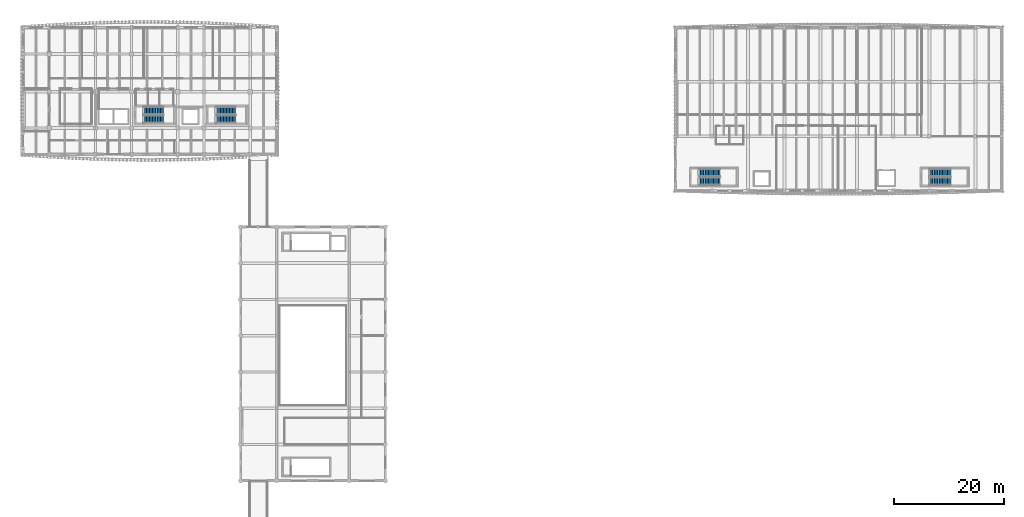
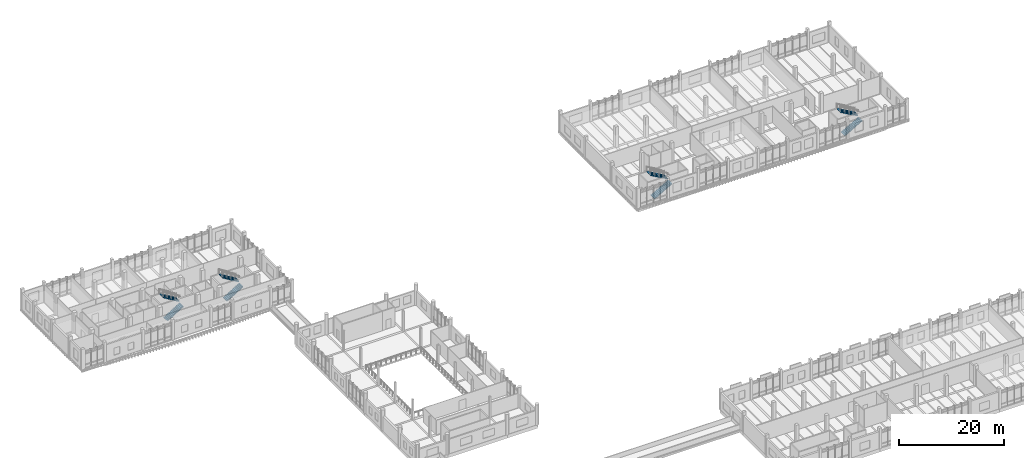
# One storey, part 59 of 76: 8 stair flights, 4 elements without a shape of their own.
"""IFC4 building model written with IfcOpenShell, lengths in metres."""

from ifc_helpers import new_model, si_unit, direction, frame, origin, place, context, subcontext, project, spatial, polyline, outline, extrude, material, type_object, element, aggregate, save


model = new_model("IFC4")

# Units and contexts
model_context = context("Model", 3, precision=1e-05, world=origin(), true_north=direction((0.0, 1.0)))
body_context = subcontext(model_context, "Body", "Model", "MODEL_VIEW")
ifc_project = project(units=[si_unit("LENGTHUNIT", "METRE"), si_unit("AREAUNIT", "SQUARE_METRE"), si_unit("VOLUMEUNIT", "CUBIC_METRE"), si_unit("PLANEANGLEUNIT", "RADIAN"), si_unit("MASSUNIT", "GRAM", prefix="KILO")], contexts=[model_context])

# Site, building, storey
site_placement = place(None, origin())
site = spatial("IfcSite", under=ifc_project, at=site_placement, CompositionType="ELEMENT")
building_placement = place(site_placement, origin())
building = spatial("IfcBuilding", under=site, at=building_placement, Name="Dornvale Research Institute", CompositionType="ELEMENT")
storey_placement = place(building_placement, frame((0.0, 0.0, 15.0)))
storey = spatial("IfcBuildingStorey", under=building, at=storey_placement, Name="L03", CompositionType="ELEMENT", Elevation=15.0)

# Stair, stair flights
ifc_material_1 = material(Name="Concrete f'c 45 MPa (C35/45)", Category="concrete")
stair_type = type_object("IfcStairType", Name="HalfTurnStair_RC", PredefinedType="HALF_TURN_STAIR", material=ifc_material_1)
stair_1_placement = place(storey_placement, origin())
stair_1 = element("IfcStair", 1, at=stair_1_placement, inside=storey, type_object=stair_type, Name="L03 Exit stair ST-1", PredefinedType="HALF_TURN_STAIR")
ifc_material_2 = material(Name="Concrete f'c 45 MPa (C35/45)", Category="concrete")
stair_flight_type = type_object("IfcStairFlightType", Name="StraightFlight_RC150", PredefinedType="STRAIGHT", material=ifc_material_2)
stair_flight_1_placement = place(storey_placement, frame((21.949951171875, 105.39990234375, 0.0), z_axis=(0.0, 0.0, 1.0), x_axis=(1.0, 0.0, 0.0)))
stair_flight_1 = element("IfcStairFlight", 2, at=stair_flight_1_placement, type_object=stair_flight_type, Name="ST-1 flight 1", NumberOfRisers=14, NumberOfTreads=13, PredefinedType="STRAIGHT", RiserHeight=0.171428571, TreadLength=0.28, context=body_context, shape_type="SweptSolid", body=[
    extrude(outline(polyline([(0.0, 0.0), (0.0, 0.17138671875), (0.280029296875, 0.17138671875), (0.280029296875, 0.3427734375), (0.56005859375, 0.3427734375), (0.56005859375, 0.514404296875), (0.840087890625, 0.514404296875), (0.840087890625, 0.685791015625), (1.1201171875, 0.685791015625), (1.1201171875, 0.857177734375), (1.39990234375, 0.857177734375), (1.39990234375, 1.028564453125), (1.679931640625, 1.028564453125), (1.679931640625, 1.199951171875), (1.9599609375, 1.199951171875), (1.9599609375, 1.371337890625), (2.239990234375, 1.371337890625), (2.239990234375, 1.54296875), (2.52001953125, 1.54296875), (2.52001953125, 1.71435546875), (2.800048828125, 1.71435546875), (2.800048828125, 1.8857421875), (3.080078125, 1.8857421875), (3.080078125, 2.05712890625), (3.360107421875, 2.05712890625), (3.360107421875, 2.228515625), (3.639892578125, 2.228515625), (3.639892578125, 2.39990234375), (3.639892578125, 2.052734375), (0.287109375, 0.0), (0.0, 0.0)])), frame((0.0, 0.699951171875, 0.0), z_axis=(0.0, -1.0, 0.0), x_axis=(1.0, 0.0, 0.0)), (0.0, 0.0, 1.0), 1.39990234375),
])
stair_flight_2_placement = place(storey_placement, frame((25.590087890625, 106.9599609375, 2.39990234375), z_axis=(0.0, 0.0, 1.0), x_axis=(-1.0, 0.0, 0.0)))
stair_flight_2 = element("IfcStairFlight", 3, at=stair_flight_2_placement, type_object=stair_flight_type, Name="ST-1 flight 2", NumberOfRisers=14, NumberOfTreads=13, PredefinedType="STRAIGHT", RiserHeight=0.171428571, TreadLength=0.28, context=body_context, shape_type="SweptSolid", body=[
    extrude(outline(polyline([(0.0, 0.0), (0.0, 0.17138671875), (0.280029296875, 0.17138671875), (0.280029296875, 0.3427734375), (0.56005859375, 0.3427734375), (0.56005859375, 0.514404296875), (0.840087890625, 0.514404296875), (0.840087890625, 0.685791015625), (1.1201171875, 0.685791015625), (1.1201171875, 0.857177734375), (1.39990234375, 0.857177734375), (1.39990234375, 1.028564453125), (1.679931640625, 1.028564453125), (1.679931640625, 1.199951171875), (1.9599609375, 1.199951171875), (1.9599609375, 1.371337890625), (2.239990234375, 1.371337890625), (2.239990234375, 1.54296875), (2.52001953125, 1.54296875), (2.52001953125, 1.71435546875), (2.800048828125, 1.71435546875), (2.800048828125, 1.8857421875), (3.080078125, 1.8857421875), (3.080078125, 2.05712890625), (3.360107421875, 2.05712890625), (3.360107421875, 2.228515625), (3.639892578125, 2.228515625), (3.639892578125, 2.39990234375), (3.639892578125, 2.052734375), (0.287109375, 0.0), (0.0, 0.0)])), frame((0.0, 0.699951171875, 0.0), z_axis=(0.0, -1.0, 0.0), x_axis=(1.0, 0.0, 0.0)), (0.0, 0.0, 1.0), 1.39990234375),
])
aggregate(stair_1, [stair_flight_1, stair_flight_2])

stair_2_placement = place(storey_placement, origin())
stair_2 = element("IfcStair", 4, at=stair_2_placement, inside=storey, type_object=stair_type, Name="L03 Exit stair ST-2", PredefinedType="HALF_TURN_STAIR")
stair_flight_3_placement = place(storey_placement, frame((35.10009765625, 105.39990234375, 0.0), z_axis=(0.0, 0.0, 1.0), x_axis=(1.0, 0.0, 0.0)))
stair_flight_3 = element("IfcStairFlight", 5, at=stair_flight_3_placement, type_object=stair_flight_type, Name="ST-2 flight 1", NumberOfRisers=14, NumberOfTreads=13, PredefinedType="STRAIGHT", RiserHeight=0.171428571, TreadLength=0.28, context=body_context, shape_type="SweptSolid", body=[
    extrude(outline(polyline([(0.0, 0.0), (0.0, 0.17138671875), (0.280029296875, 0.17138671875), (0.280029296875, 0.3427734375), (0.56005859375, 0.3427734375), (0.56005859375, 0.514404296875), (0.840087890625, 0.514404296875), (0.840087890625, 0.685791015625), (1.1201171875, 0.685791015625), (1.1201171875, 0.857177734375), (1.39990234375, 0.857177734375), (1.39990234375, 1.028564453125), (1.679931640625, 1.028564453125), (1.679931640625, 1.199951171875), (1.9599609375, 1.199951171875), (1.9599609375, 1.371337890625), (2.239990234375, 1.371337890625), (2.239990234375, 1.54296875), (2.52001953125, 1.54296875), (2.52001953125, 1.71435546875), (2.800048828125, 1.71435546875), (2.800048828125, 1.8857421875), (3.080078125, 1.8857421875), (3.080078125, 2.05712890625), (3.360107421875, 2.05712890625), (3.360107421875, 2.228515625), (3.639892578125, 2.228515625), (3.639892578125, 2.39990234375), (3.639892578125, 2.052734375), (0.287109375, 0.0), (0.0, 0.0)])), frame((0.0, 0.699951171875, 0.0), z_axis=(0.0, -1.0, 0.0), x_axis=(1.0, 0.0, 0.0)), (0.0, 0.0, 1.0), 1.39990234375),
])
stair_flight_4_placement = place(storey_placement, frame((38.739990234375, 106.9599609375, 2.39990234375), z_axis=(0.0, 0.0, 1.0), x_axis=(-1.0, 0.0, 0.0)))
stair_flight_4 = element("IfcStairFlight", 6, at=stair_flight_4_placement, type_object=stair_flight_type, Name="ST-2 flight 2", NumberOfRisers=14, NumberOfTreads=13, PredefinedType="STRAIGHT", RiserHeight=0.171428571, TreadLength=0.28, context=body_context, shape_type="SweptSolid", body=[
    extrude(outline(polyline([(0.0, 0.0), (0.0, 0.17138671875), (0.280029296875, 0.17138671875), (0.280029296875, 0.3427734375), (0.56005859375, 0.3427734375), (0.56005859375, 0.514404296875), (0.840087890625, 0.514404296875), (0.840087890625, 0.685791015625), (1.1201171875, 0.685791015625), (1.1201171875, 0.857177734375), (1.39990234375, 0.857177734375), (1.39990234375, 1.028564453125), (1.679931640625, 1.028564453125), (1.679931640625, 1.199951171875), (1.9599609375, 1.199951171875), (1.9599609375, 1.371337890625), (2.239990234375, 1.371337890625), (2.239990234375, 1.54296875), (2.52001953125, 1.54296875), (2.52001953125, 1.71435546875), (2.800048828125, 1.71435546875), (2.800048828125, 1.8857421875), (3.080078125, 1.8857421875), (3.080078125, 2.05712890625), (3.360107421875, 2.05712890625), (3.360107421875, 2.228515625), (3.639892578125, 2.228515625), (3.639892578125, 2.39990234375), (3.639892578125, 2.052734375), (0.287109375, 0.0), (0.0, 0.0)])), frame((0.0, 0.699951171875, 0.0), z_axis=(0.0, -1.0, 0.0), x_axis=(1.0, 0.0, 0.0)), (0.0, 0.0, 1.0), 1.39990234375),
])
aggregate(stair_2, [stair_flight_3, stair_flight_4])

stair_3_placement = place(storey_placement, origin())
stair_3 = element("IfcStair", 7, at=stair_3_placement, inside=storey, type_object=stair_type, Name="L03 Exit stair ST-3", PredefinedType="HALF_TURN_STAIR")
stair_flight_5_placement = place(storey_placement, frame((123.02001953125, 94.110107421875, 0.0), z_axis=(0.0, 0.0, 1.0), x_axis=(1.0, 0.0, 0.0)))
stair_flight_5 = element("IfcStairFlight", 8, at=stair_flight_5_placement, type_object=stair_flight_type, Name="ST-3 flight 1", NumberOfRisers=14, NumberOfTreads=13, PredefinedType="STRAIGHT", RiserHeight=0.171428571, TreadLength=0.3, context=body_context, shape_type="SweptSolid", body=[
    extrude(outline(polyline([(0.0, 0.0), (0.0, 0.17138671875), (0.300048828125, 0.17138671875), (0.300048828125, 0.3427734375), (0.60009765625, 0.3427734375), (0.60009765625, 0.514404296875), (0.89990234375, 0.514404296875), (0.89990234375, 0.685791015625), (1.199951171875, 0.685791015625), (1.199951171875, 0.857177734375), (1.5, 0.857177734375), (1.5, 1.028564453125), (1.800048828125, 1.028564453125), (1.800048828125, 1.199951171875), (2.10009765625, 1.199951171875), (2.10009765625, 1.371337890625), (2.39990234375, 1.371337890625), (2.39990234375, 1.54296875), (2.699951171875, 1.54296875), (2.699951171875, 1.71435546875), (3.0, 1.71435546875), (3.0, 1.8857421875), (3.300048828125, 1.8857421875), (3.300048828125, 2.05712890625), (3.60009765625, 2.05712890625), (3.60009765625, 2.228515625), (3.89990234375, 2.228515625), (3.89990234375, 2.39990234375), (3.89990234375, 2.055908203125), (0.30224609375, 0.0), (0.0, 0.0)])), frame((0.0, 0.7099609375, 0.0), z_axis=(0.0, -1.0, 0.0), x_axis=(1.0, 0.0, 0.0)), (0.0, 0.0, 1.0), 1.419921875),
])
stair_flight_6_placement = place(storey_placement, frame((126.919921875, 95.68994140625, 2.39990234375), z_axis=(0.0, 0.0, 1.0), x_axis=(-1.0, 0.0, 0.0)))
stair_flight_6 = element("IfcStairFlight", 9, at=stair_flight_6_placement, type_object=stair_flight_type, Name="ST-3 flight 2", NumberOfRisers=14, NumberOfTreads=13, PredefinedType="STRAIGHT", RiserHeight=0.171428571, TreadLength=0.3, context=body_context, shape_type="SweptSolid", body=[
    extrude(outline(polyline([(0.0, 0.0), (0.0, 0.17138671875), (0.300048828125, 0.17138671875), (0.300048828125, 0.3427734375), (0.60009765625, 0.3427734375), (0.60009765625, 0.514404296875), (0.89990234375, 0.514404296875), (0.89990234375, 0.685791015625), (1.199951171875, 0.685791015625), (1.199951171875, 0.857177734375), (1.5, 0.857177734375), (1.5, 1.028564453125), (1.800048828125, 1.028564453125), (1.800048828125, 1.199951171875), (2.10009765625, 1.199951171875), (2.10009765625, 1.371337890625), (2.39990234375, 1.371337890625), (2.39990234375, 1.54296875), (2.699951171875, 1.54296875), (2.699951171875, 1.71435546875), (3.0, 1.71435546875), (3.0, 1.8857421875), (3.300048828125, 1.8857421875), (3.300048828125, 2.05712890625), (3.60009765625, 2.05712890625), (3.60009765625, 2.228515625), (3.89990234375, 2.228515625), (3.89990234375, 2.39990234375), (3.89990234375, 2.055908203125), (0.30224609375, 0.0), (0.0, 0.0)])), frame((0.0, 0.7099609375, 0.0), z_axis=(0.0, -1.0, 0.0), x_axis=(1.0, 0.0, 0.0)), (0.0, 0.0, 1.0), 1.419921875),
])
aggregate(stair_3, [stair_flight_5, stair_flight_6])

stair_4_placement = place(storey_placement, origin())
stair_4 = element("IfcStair", 10, at=stair_4_placement, inside=storey, type_object=stair_type, Name="L03 Exit stair ST-4", PredefinedType="HALF_TURN_STAIR")
stair_flight_7_placement = place(storey_placement, frame((165.02001953125, 94.110107421875, 0.0), z_axis=(0.0, 0.0, 1.0), x_axis=(1.0, 0.0, 0.0)))
stair_flight_7 = element("IfcStairFlight", 11, at=stair_flight_7_placement, type_object=stair_flight_type, Name="ST-4 flight 1", NumberOfRisers=14, NumberOfTreads=13, PredefinedType="STRAIGHT", RiserHeight=0.171428571, TreadLength=0.3, context=body_context, shape_type="SweptSolid", body=[
    extrude(outline(polyline([(0.0, 0.0), (0.0, 0.17138671875), (0.300048828125, 0.17138671875), (0.300048828125, 0.3427734375), (0.60009765625, 0.3427734375), (0.60009765625, 0.514404296875), (0.89990234375, 0.514404296875), (0.89990234375, 0.685791015625), (1.199951171875, 0.685791015625), (1.199951171875, 0.857177734375), (1.5, 0.857177734375), (1.5, 1.028564453125), (1.800048828125, 1.028564453125), (1.800048828125, 1.199951171875), (2.10009765625, 1.199951171875), (2.10009765625, 1.371337890625), (2.39990234375, 1.371337890625), (2.39990234375, 1.54296875), (2.699951171875, 1.54296875), (2.699951171875, 1.71435546875), (3.0, 1.71435546875), (3.0, 1.8857421875), (3.300048828125, 1.8857421875), (3.300048828125, 2.05712890625), (3.60009765625, 2.05712890625), (3.60009765625, 2.228515625), (3.89990234375, 2.228515625), (3.89990234375, 2.39990234375), (3.89990234375, 2.055908203125), (0.30224609375, 0.0), (0.0, 0.0)])), frame((0.0, 0.7099609375, 0.0), z_axis=(0.0, -1.0, 0.0), x_axis=(1.0, 0.0, 0.0)), (0.0, 0.0, 1.0), 1.419921875),
])
stair_flight_8_placement = place(storey_placement, frame((168.919921875, 95.68994140625, 2.39990234375), z_axis=(0.0, 0.0, 1.0), x_axis=(-1.0, 0.0, 0.0)))
stair_flight_8 = element("IfcStairFlight", 12, at=stair_flight_8_placement, type_object=stair_flight_type, Name="ST-4 flight 2", NumberOfRisers=14, NumberOfTreads=13, PredefinedType="STRAIGHT", RiserHeight=0.171428571, TreadLength=0.3, context=body_context, shape_type="SweptSolid", body=[
    extrude(outline(polyline([(0.0, 0.0), (0.0, 0.17138671875), (0.300048828125, 0.17138671875), (0.300048828125, 0.3427734375), (0.60009765625, 0.3427734375), (0.60009765625, 0.514404296875), (0.89990234375, 0.514404296875), (0.89990234375, 0.685791015625), (1.199951171875, 0.685791015625), (1.199951171875, 0.857177734375), (1.5, 0.857177734375), (1.5, 1.028564453125), (1.800048828125, 1.028564453125), (1.800048828125, 1.199951171875), (2.10009765625, 1.199951171875), (2.10009765625, 1.371337890625), (2.39990234375, 1.371337890625), (2.39990234375, 1.54296875), (2.699951171875, 1.54296875), (2.699951171875, 1.71435546875), (3.0, 1.71435546875), (3.0, 1.8857421875), (3.300048828125, 1.8857421875), (3.300048828125, 2.05712890625), (3.60009765625, 2.05712890625), (3.60009765625, 2.228515625), (3.89990234375, 2.228515625), (3.89990234375, 2.39990234375), (3.89990234375, 2.055908203125), (0.30224609375, 0.0), (0.0, 0.0)])), frame((0.0, 0.7099609375, 0.0), z_axis=(0.0, -1.0, 0.0), x_axis=(1.0, 0.0, 0.0)), (0.0, 0.0, 1.0), 1.419921875),
])
aggregate(stair_4, [stair_flight_7, stair_flight_8])

save(model, "model.ifc")
